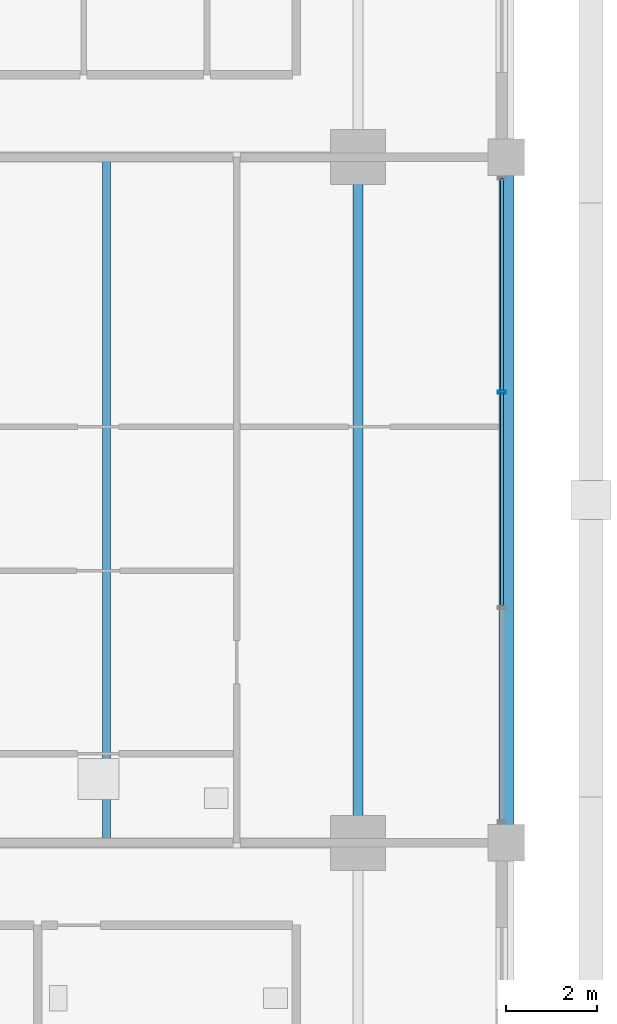
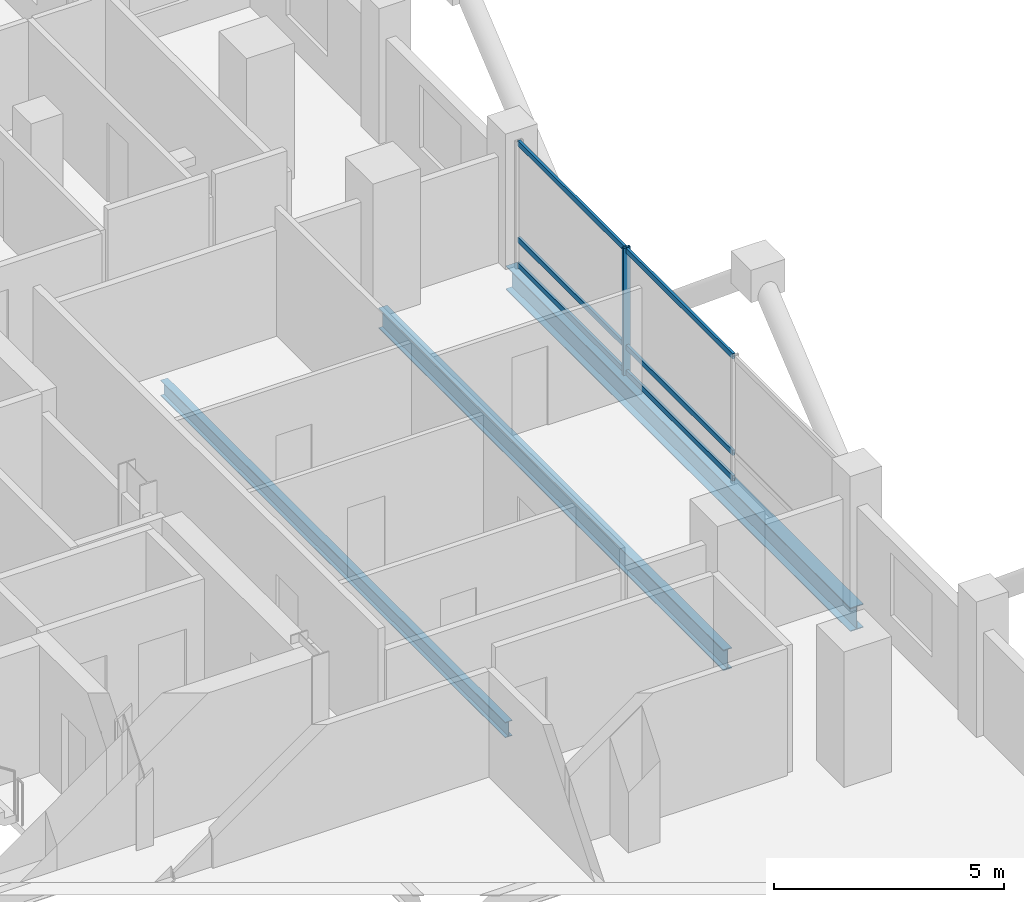
# One storey, part 9 of 22: 7 members, 3 beams, 1 element without a shape of its own.
"""IFC4 building model written with IfcOpenShell, lengths in metres."""

from ifc_helpers import new_model, si_unit, direction, frame, origin, origin_2d, place, context, subcontext, project, spatial, hollow_rectangle, i_section, extrude, material, layer, layer_set, material_profile, profile_set, type_object, element, aggregate, save


model = new_model("IFC4")

# Units and contexts
model_context = context("Model", 3, precision=1e-05, world=origin(), true_north=direction((0.0, 1.0)))
body_context = subcontext(model_context, "Body", "Model", "MODEL_VIEW")
ifc_project = project(units=[si_unit("LENGTHUNIT", "METRE"), si_unit("AREAUNIT", "SQUARE_METRE"), si_unit("VOLUMEUNIT", "CUBIC_METRE"), si_unit("PLANEANGLEUNIT", "RADIAN"), si_unit("MASSUNIT", "GRAM", prefix="KILO")], contexts=[model_context])

# Site, building, storey
site_placement = place(None, origin())
site = spatial("IfcSite", under=ifc_project, at=site_placement, CompositionType="ELEMENT")
building_placement = place(site_placement, origin())
building = spatial("IfcBuilding", under=site, at=building_placement, Name="Barlavira Tower and Art Museum", CompositionType="ELEMENT")
storey_placement = place(building_placement, frame((0.0, 0.0, 106.199951171875)))
storey = spatial("IfcBuildingStorey", under=building, at=storey_placement, Name="L26", CompositionType="ELEMENT", Elevation=106.199951171875)

# Curtain wall, members
ifc_material_1 = material(Name="Low-iron coastal laminated glass", Category="glass")
ifc_layer = layer(ifc_material_1, 0.18994140625, Name="Low-iron coastal laminated glass")
ifc_layer_set = layer_set([ifc_layer], Name="Low-iron coastal laminated glass")
curtain_wall_type = type_object("IfcCurtainWallType", Name="Pale-Metal Unitised Curtain Wall Zone 2", PredefinedType="NOTDEFINED", material=ifc_layer_set)
curtain_wall_placement = place(storey_placement, origin())
curtain_wall = element("IfcCurtainWall", 1, at=curtain_wall_placement, inside=storey, type_object=curtain_wall_type, Name="L26 Curtain Wall CW2-L26-E-B3", PredefinedType="NOTDEFINED")
ifc_material_2 = material(Name="Pale anodised aluminium", Category="aluminium")
ifc_material_profile_1 = material_profile(ifc_material_2, hollow_rectangle(XDim=0.06494140625, YDim=0.179931640625, WallThickness=0.00390625, at=origin_2d()), Name="ALU-MULL 65x180x4")
ifc_profile_set_1 = profile_set([ifc_material_profile_1], Name="Pale anodised aluminium")
member_type_1 = type_object("IfcMemberType", Name="Curtain Wall Pale-Metal Mullion 65x180", PredefinedType="MULLION", material=ifc_profile_set_1)
member_1_placement = place(storey_placement, frame((20.14990234375, 2.360107421875, 0.0), z_axis=(0.0, 0.0, 1.0), x_axis=(0.0, 1.0, 0.0)))
member_1 = element("IfcMember", 2, at=member_1_placement, type_object=member_type_1, Name="CW2-L26-E-B3 Mullion 2", PredefinedType="MULLION", context=body_context, shape_type="SweptSolid", body=[
    extrude(hollow_rectangle(XDim=0.06494140625, YDim=0.179931640625, WallThickness=0.00390625, at=origin_2d()), origin(), (0.0, 0.0, 1.0), 3.380126953125),
])
ifc_material_profile_2 = material_profile(ifc_material_2, hollow_rectangle(XDim=0.06494140625, YDim=0.139892578125, WallThickness=0.00390625, at=origin_2d()), Name="ALU-TRAN 65x140x4")
ifc_profile_set_2 = profile_set([ifc_material_profile_2], Name="Pale anodised aluminium")
member_type_2 = type_object("IfcMemberType", Name="Curtain Wall Pale-Metal Transom 65x140", PredefinedType="USERDEFINED", material=ifc_profile_set_2)
member_2_placement = place(storey_placement, frame((20.14990234375, -2.31494140625, 0.070068359375), z_axis=(0.0, 1.0, 0.0), x_axis=(-1.0, 0.0, 0.0)))
member_2 = element("IfcMember", 3, at=member_2_placement, type_object=member_type_2, Name="CW2-L26-E-B3 Transom 1.1", ObjectType="TRANSOM", PredefinedType="USERDEFINED", context=body_context, shape_type="SweptSolid", body=[
    extrude(hollow_rectangle(XDim=0.06494140625, YDim=0.139892578125, WallThickness=0.00390625, at=origin_2d()), origin(), (0.0, 0.0, 1.0), 4.6298828125),
])
member_3_placement = place(storey_placement, frame((20.14990234375, -2.31494140625, 0.744140625), z_axis=(0.0, 1.0, 0.0), x_axis=(-1.0, 0.0, 0.0)))
member_3 = element("IfcMember", 4, at=member_3_placement, type_object=member_type_2, Name="CW2-L26-E-B3 Transom 1.2", ObjectType="TRANSOM", PredefinedType="USERDEFINED", context=body_context, shape_type="SweptSolid", body=[
    extrude(hollow_rectangle(XDim=0.06494140625, YDim=0.139892578125, WallThickness=0.00390625, at=origin_2d()), origin(), (0.0, 0.0, 1.0), 4.6298828125),
])
member_4_placement = place(storey_placement, frame((20.14990234375, -2.31494140625, 3.31005859375), z_axis=(0.0, 1.0, 0.0), x_axis=(-1.0, 0.0, 0.0)))
member_4 = element("IfcMember", 5, at=member_4_placement, type_object=member_type_2, Name="CW2-L26-E-B3 Transom 1.3", ObjectType="TRANSOM", PredefinedType="USERDEFINED", context=body_context, shape_type="SweptSolid", body=[
    extrude(hollow_rectangle(XDim=0.06494140625, YDim=0.139892578125, WallThickness=0.00390625, at=origin_2d()), origin(), (0.0, 0.0, 1.0), 4.6298828125),
])
member_5_placement = place(storey_placement, frame((20.14990234375, 2.405029296875, 0.070068359375), z_axis=(0.0, 1.0, 0.0), x_axis=(-1.0, 0.0, 0.0)))
member_5 = element("IfcMember", 6, at=member_5_placement, type_object=member_type_2, Name="CW2-L26-E-B3 Transom 2.1", ObjectType="TRANSOM", PredefinedType="USERDEFINED", context=body_context, shape_type="SweptSolid", body=[
    extrude(hollow_rectangle(XDim=0.06494140625, YDim=0.139892578125, WallThickness=0.00390625, at=origin_2d()), origin(), (0.0, 0.0, 1.0), 4.6298828125),
])
member_6_placement = place(storey_placement, frame((20.14990234375, 2.405029296875, 0.744140625), z_axis=(0.0, 1.0, 0.0), x_axis=(-1.0, 0.0, 0.0)))
member_6 = element("IfcMember", 7, at=member_6_placement, type_object=member_type_2, Name="CW2-L26-E-B3 Transom 2.2", ObjectType="TRANSOM", PredefinedType="USERDEFINED", context=body_context, shape_type="SweptSolid", body=[
    extrude(hollow_rectangle(XDim=0.06494140625, YDim=0.139892578125, WallThickness=0.00390625, at=origin_2d()), origin(), (0.0, 0.0, 1.0), 4.6298828125),
])
member_7_placement = place(storey_placement, frame((20.14990234375, 2.405029296875, 3.31005859375), z_axis=(0.0, 1.0, 0.0), x_axis=(-1.0, 0.0, 0.0)))
member_7 = element("IfcMember", 8, at=member_7_placement, type_object=member_type_2, Name="CW2-L26-E-B3 Transom 2.3", ObjectType="TRANSOM", PredefinedType="USERDEFINED", context=body_context, shape_type="SweptSolid", body=[
    extrude(hollow_rectangle(XDim=0.06494140625, YDim=0.139892578125, WallThickness=0.00390625, at=origin_2d()), origin(), (0.0, 0.0, 1.0), 4.6298828125),
])
aggregate(curtain_wall, [member_1, member_2, member_3, member_4, member_5, member_6, member_7])

# Beams
ifc_material_3 = material(Name="Steel S355", Category="steel")
ifc_material_profile_3 = material_profile(ifc_material_3, i_section(OverallWidth=0.327880859375, OverallDepth=0.62890625, WebThickness=0.013916015625, FlangeThickness=0.021484375, at=origin_2d()), Name="W610x174.0")
ifc_profile_set_3 = profile_set([ifc_material_profile_3], Name="Steel S355")
beam_type_1 = type_object("IfcBeamType", Name="Perimeter Spandrel Edge Beam W610x174 Steel S355", PredefinedType="SPANDREL", material=ifc_profile_set_3)
beam_1_placement = place(storey_placement, frame((20.25, -7.5, -0.534423828125), z_axis=(0.0, 1.0, 0.0), x_axis=(-1.0, 0.0, 0.0)))
element("IfcBeam", 9, at=beam_1_placement, inside=storey, type_object=beam_type_1, Name="L26 Spandrel 6", PredefinedType="SPANDREL", context=body_context, shape_type="SweptSolid", body=[
    extrude(i_section(OverallWidth=0.327880859375, OverallDepth=0.62890625, WebThickness=0.013916015625, FlangeThickness=0.021484375, at=origin_2d()), origin(), (0.0, 0.0, 1.0), 15.0),
])
ifc_material_profile_4 = material_profile(ifc_material_3, i_section(OverallWidth=0.214111328125, OverallDepth=0.549072265625, WebThickness=0.0146484375, FlangeThickness=0.023681640625, at=origin_2d()), Name="W530x138.0")
ifc_profile_set_4 = profile_set([ifc_material_profile_4], Name="Steel S355")
beam_type_2 = type_object("IfcBeamType", Name="Zone 1 Primary Floor Girder W530x138 Steel S355", PredefinedType="BEAM", material=ifc_profile_set_4)
beam_2_placement = place(storey_placement, frame((17.0, -7.5, -0.494384765625), z_axis=(0.0, 1.0, 0.0), x_axis=(-1.0, 0.0, 0.0)))
element("IfcBeam", 10, at=beam_2_placement, inside=storey, type_object=beam_type_2, Name="L26 Girder M-E2", PredefinedType="BEAM", context=body_context, shape_type="SweptSolid", body=[
    extrude(i_section(OverallWidth=0.214111328125, OverallDepth=0.549072265625, WebThickness=0.0146484375, FlangeThickness=0.023681640625, at=origin_2d()), origin(), (0.0, 0.0, 1.0), 15.0),
])
ifc_material_profile_5 = material_profile(ifc_material_3, i_section(OverallWidth=0.179931640625, OverallDepth=0.4130859375, WebThickness=0.009765625, FlangeThickness=0.01611328125, at=origin_2d()), Name="W410x75.0")
ifc_profile_set_5 = profile_set([ifc_material_profile_5], Name="Steel S355")
beam_type_3 = type_object("IfcBeamType", Name="Zone 2 Composite Floor Joist W410x75 Steel S355", PredefinedType="JOIST", material=ifc_profile_set_5)
beam_3_placement = place(storey_placement, frame((11.5, -7.5, -0.426513671875), z_axis=(0.0, 1.0, 0.0), x_axis=(-1.0, 0.0, 0.0)))
element("IfcBeam", 11, at=beam_3_placement, inside=storey, type_object=beam_type_3, Name="L26 Joist W2", PredefinedType="JOIST", context=body_context, shape_type="SweptSolid", body=[
    extrude(i_section(OverallWidth=0.179931640625, OverallDepth=0.4130859375, WebThickness=0.009765625, FlangeThickness=0.01611328125, at=origin_2d()), origin(), (0.0, 0.0, 1.0), 15.0),
])

save(model, "model.ifc")
